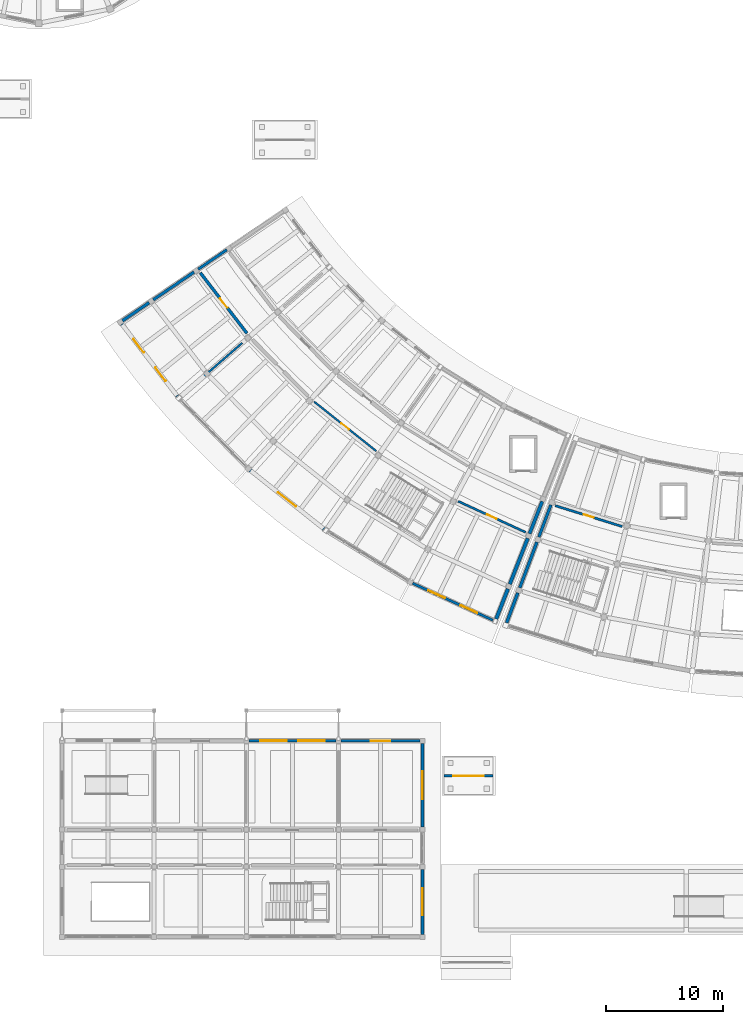
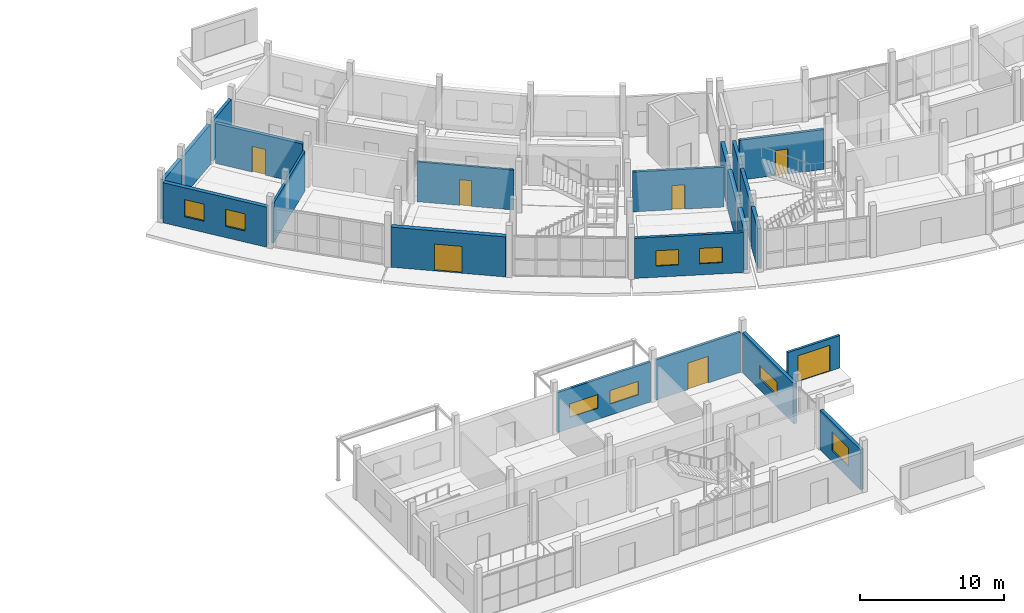
# One storey, part 66 of 92: 22 walls, 8 windows, 7 doors, 15 openings.
"""IFC4 building model written with IfcOpenShell, lengths in metres."""

from ifc_helpers import new_model, si_unit, direction, frame, frame_2d, origin, place, context, subcontext, project, spatial, rectangle, extrude, material, layer, layer_set, type_object, element, fill, save


model = new_model("IFC4")

# Units and contexts
model_context = context("Model", 3, precision=1e-05, world=origin(), true_north=direction((0.0, 1.0)))
body_context = subcontext(model_context, "Body", "Model", "MODEL_VIEW")
ifc_project = project(units=[si_unit("LENGTHUNIT", "METRE"), si_unit("AREAUNIT", "SQUARE_METRE"), si_unit("VOLUMEUNIT", "CUBIC_METRE"), si_unit("PLANEANGLEUNIT", "RADIAN"), si_unit("MASSUNIT", "GRAM", prefix="KILO")], contexts=[model_context])

# Site, building, storey
site_placement = place(None, origin())
site = spatial("IfcSite", under=ifc_project, at=site_placement, CompositionType="ELEMENT")
building_placement = place(site_placement, origin())
building = spatial("IfcBuilding", under=site, at=building_placement, Name="Caldaven Crescent School", CompositionType="ELEMENT")
storey_placement = place(building_placement, origin())
storey = spatial("IfcBuildingStorey", under=building, at=storey_placement, Name="L00", CompositionType="ELEMENT", Elevation=0.0)

# Wall, openings, windows
ifc_material_1 = material(Name="Precast concrete C35/45", Category="concrete")
ifc_layer_1 = layer(ifc_material_1, 0.19189453125)
ifc_layer_set_1 = layer_set([ifc_layer_1], Name="Precast concrete C35/45")
wall_type_1 = type_object("IfcWallType", Name="WAL-EW01", PredefinedType="STANDARD", material=ifc_layer_set_1)
wall_1_placement = place(storey_placement, frame((41.512939453125, 21.0, 0.0), z_axis=(0.0, 0.0, 1.0), x_axis=(1.0, 0.0, 0.0)))
wall_1 = element("IfcWall", 1, at=wall_1_placement, inside=storey, type_object=wall_type_1, Name="EW-L00-056", PredefinedType="STANDARD", context=body_context, shape_type="SweptSolid", body=[
    extrude(rectangle(XDim=7.47412109375, YDim=0.19189453125, at=frame_2d((3.737060546875, 0.0))), origin(), (0.0, 0.0, 1.0), 3.39990234375),
])
opening_1_placement = place(wall_1_placement, frame((0.9580078125, 0.0, 0.949951171875)))
opening_1 = element("IfcOpeningElement", 2, at=opening_1_placement, cuts=wall_1, Name="Opening W41", PredefinedType="OPENING", context=body_context, shape_type="SweptSolid", body=[
    extrude(rectangle(XDim=2.300048828125, YDim=1.14990234375, at=frame_2d((1.14990234375, 0.574951171875))), frame((0.0, 0.10595703125, 0.0), z_axis=(0.0, -1.0, 0.0), x_axis=(1.0, 0.0, 0.0)), (0.0, 0.0, 1.0), 0.2119140625),
])
opening_2_placement = place(wall_1_placement, frame((4.216064453125, 0.0, 0.949951171875)))
opening_2 = element("IfcOpeningElement", 3, at=opening_2_placement, cuts=wall_1, Name="Opening W41", PredefinedType="OPENING", context=body_context, shape_type="SweptSolid", body=[
    extrude(rectangle(XDim=2.300048828125, YDim=1.14990234375, at=frame_2d((1.14990234375, 0.574951171875))), frame((0.0, 0.10595703125, 0.0), z_axis=(0.0, -1.0, 0.0), x_axis=(1.0, 0.0, 0.0)), (0.0, 0.0, 1.0), 0.2119140625),
])
ifc_material_2 = material(Name="Thermally broken anodised aluminium AA 6063-T6 and low-E double glazing", Category="aluminium")
window_type_1 = type_object("IfcWindowType", Name="WIN-W41", PartitioningType="SINGLE_PANEL", PredefinedType="WINDOW", material=ifc_material_2)
window_1_placement = place(opening_1_placement, origin())
window_1 = element("IfcWindow", 4, at=window_1_placement, inside=storey, type_object=window_type_1, Name="WIN-L00-040-1", OverallHeight=1.14990234375, OverallWidth=2.300048828125, PartitioningType="SINGLE_PANEL", PredefinedType="WINDOW", context=body_context, shape_type="SweptSolid", body=[
    extrude(rectangle(XDim=2.300048828125, YDim=1.14990234375, at=frame_2d((1.14990234375, 0.574951171875))), frame((0.0, 0.030029296875, 0.0), z_axis=(0.0, -1.0, 0.0), x_axis=(1.0, 0.0, 0.0)), (0.0, 0.0, 1.0), 0.06005859375),
])
fill(opening_1, window_1)
window_2_placement = place(opening_2_placement, origin())
window_2 = element("IfcWindow", 5, at=window_2_placement, inside=storey, type_object=window_type_1, Name="WIN-L00-040-2", OverallHeight=1.14990234375, OverallWidth=2.300048828125, PartitioningType="SINGLE_PANEL", PredefinedType="WINDOW", context=body_context, shape_type="SweptSolid", body=[
    extrude(rectangle(XDim=2.300048828125, YDim=1.14990234375, at=frame_2d((1.14990234375, 0.574951171875))), frame((0.0, 0.030029296875, 0.0), z_axis=(0.0, -1.0, 0.0), x_axis=(1.0, 0.0, 0.0)), (0.0, 0.0, 1.0), 0.06005859375),
])
fill(opening_2, window_2)

# Wall, opening, door
wall_2_placement = place(storey_placement, frame((58.25, 18.0, 0.0), z_axis=(0.0, 0.0, 1.0), x_axis=(1.0, 0.0, 0.0)))
wall_2 = element("IfcWall", 6, at=wall_2_placement, inside=storey, type_object=wall_type_1, Name="WAL-GATE-CG3", PredefinedType="STANDARD", context=body_context, shape_type="SweptSolid", body=[
    extrude(rectangle(XDim=4.199951171875, YDim=0.19189453125, at=frame_2d((2.10009765625, 0.0))), origin(), (0.0, 0.0, 1.0), 2.75),
])
opening_3_placement = place(wall_2_placement, frame((0.800048828125, 0.0, 0.0)))
opening_3 = element("IfcOpeningElement", 7, at=opening_3_placement, cuts=wall_2, Name="Opening CG3", PredefinedType="OPENING", context=body_context, shape_type="SweptSolid", body=[
    extrude(rectangle(XDim=2.60009765625, YDim=2.199951171875, at=frame_2d((1.300048828125, 1.10009765625))), frame((0.0, 0.10595703125, 0.0), z_axis=(0.0, -1.0, 0.0), x_axis=(1.0, 0.0, 0.0)), (0.0, 0.0, 1.0), 0.2119140625),
])
ifc_material_3 = material(Name="Powder-coated galvanised tubular steel security gate", Category="steel")
door_type_1 = type_object("IfcDoorType", Name="DOR-GT03", OperationType="NOTDEFINED", PredefinedType="GATE", material=ifc_material_3)
door_1_placement = place(opening_3_placement, frame((2.60009765625, 0.0, 0.0), z_axis=(0.0, 0.0, 1.0), x_axis=(-1.0, 0.0, 0.0)))
door_1 = element("IfcDoor", 8, at=door_1_placement, inside=storey, type_object=door_type_1, Name="GATE-CG3", OperationType="DOUBLE_DOOR_SINGLE_SWING", OverallHeight=2.199951171875, OverallWidth=2.60009765625, PredefinedType="GATE", context=body_context, shape_type="SweptSolid", body=[
    extrude(rectangle(XDim=2.60009765625, YDim=2.199951171875, at=frame_2d((1.300048828125, 1.10009765625))), frame((0.0, 0.02490234375, 0.0), z_axis=(0.0, -1.0, 0.0), x_axis=(1.0, 0.0, 0.0)), (0.0, 0.0, 1.0), 0.050048828125),
])
fill(opening_3, door_1)

ifc_layer_2 = layer(ifc_material_1, 0.2041015625)
ifc_layer_set_2 = layer_set([ifc_layer_2], Name="Precast concrete C35/45")
wall_type_2 = type_object("IfcWallType", Name="WAL-EW02", PredefinedType="STANDARD", material=ifc_layer_set_2)
wall_3_placement = place(storey_placement, frame((49.4130859375, 21.0, 0.0), z_axis=(0.0, 0.0, 1.0), x_axis=(1.0, 0.0, 0.0)))
wall_3 = element("IfcWall", 9, at=wall_3_placement, inside=storey, type_object=wall_type_2, Name="EW-L00-057", PredefinedType="STANDARD", context=body_context, shape_type="SweptSolid", body=[
    extrude(rectangle(XDim=6.77392578125, YDim=0.2041015625, at=frame_2d((3.386962890625, 0.0))), origin(), (0.0, 0.0, 1.0), 3.39990234375),
])
opening_4_placement = place(wall_3_placement, frame((2.56201171875, 0.0, 0.0)))
opening_4 = element("IfcOpeningElement", 10, at=opening_4_placement, cuts=wall_3, Name="Opening D-L00-E017", PredefinedType="OPENING", context=body_context, shape_type="SweptSolid", body=[
    extrude(rectangle(XDim=1.64990234375, YDim=2.25, at=frame_2d((0.824951171875, 1.125))), frame((0.0, 0.112060546875, 0.0), z_axis=(0.0, -1.0, 0.0), x_axis=(1.0, 0.0, 0.0)), (0.0, 0.0, 1.0), 0.22412109375),
])
ifc_material_4 = material(Name="Thermally broken bronze-anodised aluminium and laminated safety glass", Category="aluminium")
door_type_2 = type_object("IfcDoorType", Name="DOR-EX09", OperationType="NOTDEFINED", PredefinedType="DOOR", material=ifc_material_4)
door_2_placement = place(opening_4_placement, origin())
door_2 = element("IfcDoor", 11, at=door_2_placement, inside=storey, type_object=door_type_2, Name="DOR-EXT-L00-017", OperationType="DOUBLE_DOOR_SINGLE_SWING", OverallHeight=2.25, OverallWidth=1.64990234375, PredefinedType="DOOR", context=body_context, shape_type="SweptSolid", body=[
    extrude(rectangle(XDim=1.64990234375, YDim=2.25, at=frame_2d((0.824951171875, 1.125))), frame((0.0, 0.02490234375, 0.0), z_axis=(0.0, -1.0, 0.0), x_axis=(1.0, 0.0, 0.0)), (0.0, 0.0, 1.0), 0.050048828125),
])
fill(opening_4, door_2)

# Wall, openings, windows
ifc_layer_3 = layer(ifc_material_1, 0.216064453125)
ifc_layer_set_3 = layer_set([ifc_layer_3], Name="Precast concrete C35/45")
wall_type_3 = type_object("IfcWallType", Name="WAL-EW03", PredefinedType="STANDARD", material=ifc_layer_set_3)
wall_4_placement = place(storey_placement, frame((55.541748046875, 34.501953125, 0.0), z_axis=(0.0, 0.0, 1.0), x_axis=(0.908527340523, -0.417825407941, 0.0)))
wall_4 = element("IfcWall", 12, at=wall_4_placement, inside=storey, type_object=wall_type_3, Name="EW-L00-086", PredefinedType="STANDARD", context=body_context, shape_type="SweptSolid", body=[
    extrude(rectangle(XDim=7.587890625, YDim=0.216064453125, at=frame_2d((3.7939453125, 0.0))), origin(), (0.0, 0.0, 1.0), 3.39990234375),
])
opening_5_placement = place(wall_4_placement, frame((1.475830078125, 0.0, 0.949951171875)))
opening_5 = element("IfcOpeningElement", 13, at=opening_5_placement, cuts=wall_4, Name="Opening W18", PredefinedType="OPENING", context=body_context, shape_type="SweptSolid", body=[
    extrude(rectangle(XDim=1.580078125, YDim=1.300048828125, at=frame_2d((0.7900390625, 0.64990234375))), frame((0.0, 0.117919921875, 0.0), z_axis=(0.0, -1.0, 0.0), x_axis=(1.0, 0.0, 0.0)), (0.0, 0.0, 1.0), 0.236083984375),
])
opening_6_placement = place(wall_4_placement, frame((4.531982421875, 0.0, 0.949951171875)))
opening_6 = element("IfcOpeningElement", 14, at=opening_6_placement, cuts=wall_4, Name="Opening W18", PredefinedType="OPENING", context=body_context, shape_type="SweptSolid", body=[
    extrude(rectangle(XDim=1.580078125, YDim=1.300048828125, at=frame_2d((0.7900390625, 0.64990234375))), frame((0.0, 0.117919921875, 0.0), z_axis=(0.0, -1.0, 0.0), x_axis=(1.0, 0.0, 0.0)), (0.0, 0.0, 1.0), 0.236083984375),
])
window_type_2 = type_object("IfcWindowType", Name="WIN-W18", PartitioningType="SINGLE_PANEL", PredefinedType="WINDOW", material=ifc_material_2)
window_3_placement = place(opening_5_placement, origin())
window_3 = element("IfcWindow", 15, at=window_3_placement, inside=storey, type_object=window_type_2, Name="WIN-L00-065-1", OverallHeight=1.300048828125, OverallWidth=1.580078125, PartitioningType="SINGLE_PANEL", PredefinedType="WINDOW", context=body_context, shape_type="SweptSolid", body=[
    extrude(rectangle(XDim=1.580078125, YDim=1.300048828125, at=frame_2d((0.7900390625, 0.64990234375))), frame((0.0, 0.030029296875, 0.0), z_axis=(0.0, -1.0, 0.0), x_axis=(1.0, 0.0, 0.0)), (0.0, 0.0, 1.0), 0.06005859375),
])
fill(opening_5, window_3)
window_4_placement = place(opening_6_placement, origin())
window_4 = element("IfcWindow", 16, at=window_4_placement, inside=storey, type_object=window_type_2, Name="WIN-L00-065-2", OverallHeight=1.300048828125, OverallWidth=1.580078125, PartitioningType="SINGLE_PANEL", PredefinedType="WINDOW", context=body_context, shape_type="SweptSolid", body=[
    extrude(rectangle(XDim=1.580078125, YDim=1.300048828125, at=frame_2d((0.7900390625, 0.64990234375))), frame((0.0, 0.030029296875, 0.0), z_axis=(0.0, -1.0, 0.0), x_axis=(1.0, 0.0, 0.0)), (0.0, 0.0, 1.0), 0.06005859375),
])
fill(opening_6, window_4)

# Wall
ifc_layer_4 = layer(ifc_material_1, 0.239990234375)
ifc_layer_set_4 = layer_set([ifc_layer_4], Name="Precast concrete C35/45")
wall_type_4 = type_object("IfcWallType", Name="WAL-EW05", PredefinedType="STANDARD", material=ifc_layer_set_4)
wall_5_placement = place(storey_placement, frame((39.625, 63.081298828125, 0.0), z_axis=(0.0, 0.0, 1.0), x_axis=(-0.826746288828, -0.562574949592, 0.0)))
element("IfcWall", 17, at=wall_5_placement, inside=storey, type_object=wall_type_4, Name="EW-L00-088", PredefinedType="STANDARD", context=body_context, shape_type="SweptSolid", body=[
    extrude(rectangle(XDim=2.973876953125, YDim=0.239990234375, at=frame_2d((1.48681640625, 0.0))), origin(), (0.0, 0.0, 1.0), 3.39990234375),
])

# Wall, opening, window
ifc_layer_5 = layer(ifc_material_1, 0.251953125)
ifc_layer_set_5 = layer_set([ifc_layer_5], Name="Precast concrete C35/45")
wall_type_5 = type_object("IfcWallType", Name="WAL-EW06", PredefinedType="STANDARD", material=ifc_layer_set_5)
wall_6_placement = place(storey_placement, frame((56.39990234375, 4.4130859375, 0.0), z_axis=(0.0, 0.0, 1.0), x_axis=(0.0, 1.0, 0.0)))
wall_6 = element("IfcWall", 18, at=wall_6_placement, inside=storey, type_object=wall_type_5, Name="EW-L00-061", PredefinedType="STANDARD", context=body_context, shape_type="SweptSolid", body=[
    extrude(rectangle(XDim=5.573974609375, YDim=0.251953125, at=frame_2d((2.787109375, 0.0))), origin(), (0.0, 0.0, 1.0), 3.39990234375),
])
opening_7_placement = place(wall_6_placement, frame((1.636962890625, 0.0, 0.949951171875)))
opening_7 = element("IfcOpeningElement", 19, at=opening_7_placement, cuts=wall_6, Name="Opening W44", PredefinedType="OPENING", context=body_context, shape_type="SweptSolid", body=[
    extrude(rectangle(XDim=2.300048828125, YDim=1.60009765625, at=frame_2d((1.14990234375, 0.800048828125))), frame((0.0, 0.135986328125, 0.0), z_axis=(0.0, -1.0, 0.0), x_axis=(1.0, 0.0, 0.0)), (0.0, 0.0, 1.0), 0.27197265625),
])
window_type_3 = type_object("IfcWindowType", Name="WIN-W44", PartitioningType="SINGLE_PANEL", PredefinedType="WINDOW", material=ifc_material_2)
window_5_placement = place(opening_7_placement, origin())
window_5 = element("IfcWindow", 20, at=window_5_placement, inside=storey, type_object=window_type_3, Name="WIN-L00-043-1", OverallHeight=1.60009765625, OverallWidth=2.300048828125, PartitioningType="SINGLE_PANEL", PredefinedType="WINDOW", context=body_context, shape_type="SweptSolid", body=[
    extrude(rectangle(XDim=2.300048828125, YDim=1.60009765625, at=frame_2d((1.14990234375, 0.800048828125))), frame((0.0, 0.030029296875, 0.0), z_axis=(0.0, -1.0, 0.0), x_axis=(1.0, 0.0, 0.0)), (0.0, 0.0, 1.0), 0.06005859375),
])
fill(opening_7, window_5)

# Walls
wall_7_placement = place(storey_placement, frame((36.814208984375, 61.168701171875, 0.0), z_axis=(0.0, 0.0, 1.0), x_axis=(-0.826730801619, -0.56259770854, 0.0)))
element("IfcWall", 21, at=wall_7_placement, inside=storey, type_object=wall_type_5, Name="EW-L00-089", PredefinedType="STANDARD", context=body_context, shape_type="SweptSolid", body=[
    extrude(rectangle(XDim=4.22412109375, YDim=0.251953125, at=frame_2d((2.112060546875, 0.0))), origin(), (0.0, 0.0, 1.0), 3.39990234375),
])
wall_8_placement = place(storey_placement, frame((67.402099609375, 41.21630859375, 0.0), z_axis=(0.0, 0.0, 1.0), x_axis=(-0.351950321766, -0.936018680908, 0.0)))
element("IfcWall", 22, at=wall_8_placement, inside=storey, type_object=wall_type_5, Name="EW-L00-103", PredefinedType="STANDARD", context=body_context, shape_type="SweptSolid", body=[
    extrude(rectangle(XDim=2.944091796875, YDim=0.251953125, at=frame_2d((1.47216796875, 0.0))), origin(), (0.0, 0.0, 1.0), 3.39990234375),
])

# Wall, opening, window
ifc_layer_6 = layer(ifc_material_1, 0.263916015625)
ifc_layer_set_6 = layer_set([ifc_layer_6], Name="Precast concrete C35/45")
wall_type_6 = type_object("IfcWallType", Name="WAL-EW07", PredefinedType="STANDARD", material=ifc_layer_set_6)
wall_9_placement = place(storey_placement, frame((56.39990234375, 13.613037109375, 0.0), z_axis=(0.0, 0.0, 1.0), x_axis=(0.0, 1.0, 0.0)))
wall_9 = element("IfcWall", 23, at=wall_9_placement, inside=storey, type_object=wall_type_6, Name="EW-L00-062", PredefinedType="STANDARD", context=body_context, shape_type="SweptSolid", body=[
    extrude(rectangle(XDim=7.174072265625, YDim=0.263916015625, at=frame_2d((3.5869140625, 0.0))), origin(), (0.0, 0.0, 1.0), 3.39990234375),
])
opening_8_placement = place(wall_9_placement, frame((2.376953125, 0.0, 0.949951171875)))
opening_8 = element("IfcOpeningElement", 24, at=opening_8_placement, cuts=wall_9, Name="Opening W45", PredefinedType="OPENING", context=body_context, shape_type="SweptSolid", body=[
    extrude(rectangle(XDim=2.419921875, YDim=1.14990234375, at=frame_2d((1.2099609375, 0.574951171875))), frame((0.0, 0.141845703125, 0.0), z_axis=(0.0, -1.0, 0.0), x_axis=(1.0, 0.0, 0.0)), (0.0, 0.0, 1.0), 0.283935546875),
])
window_type_4 = type_object("IfcWindowType", Name="WIN-W45", PartitioningType="SINGLE_PANEL", PredefinedType="WINDOW", material=ifc_material_2)
window_6_placement = place(opening_8_placement, origin())
window_6 = element("IfcWindow", 25, at=window_6_placement, inside=storey, type_object=window_type_4, Name="WIN-L00-044-1", OverallHeight=1.14990234375, OverallWidth=2.419921875, PartitioningType="SINGLE_PANEL", PredefinedType="WINDOW", context=body_context, shape_type="SweptSolid", body=[
    extrude(rectangle(XDim=2.419921875, YDim=1.14990234375, at=frame_2d((1.2099609375, 0.574951171875))), frame((0.0, 0.030029296875, 0.0), z_axis=(0.0, -1.0, 0.0), x_axis=(1.0, 0.0, 0.0)), (0.0, 0.0, 1.0), 0.06005859375),
])
fill(opening_8, window_6)

# Walls
wall_10_placement = place(storey_placement, frame((32.9697265625, 58.552490234375, 0.0), z_axis=(0.0, 0.0, 1.0), x_axis=(-0.826731643037, -0.562596472085, 0.0)))
element("IfcWall", 26, at=wall_10_placement, inside=storey, type_object=wall_type_6, Name="EW-L00-090", PredefinedType="STANDARD", context=body_context, shape_type="SweptSolid", body=[
    extrude(rectangle(XDim=2.77392578125, YDim=0.263916015625, at=frame_2d((1.386962890625, 0.0))), origin(), (0.0, 0.0, 1.0), 3.39990234375),
])
wall_11_placement = place(storey_placement, frame((66.20556640625, 38.03369140625, 0.0), z_axis=(0.0, 0.0, 1.0), x_axis=(-0.351959024786, -0.936015408458, 0.0)))
element("IfcWall", 27, at=wall_11_placement, inside=storey, type_object=wall_type_6, Name="EW-L00-104", PredefinedType="STANDARD", context=body_context, shape_type="SweptSolid", body=[
    extrude(rectangle(XDim=4.19384765625, YDim=0.263916015625, at=frame_2d((2.096923828125, 0.0))), origin(), (0.0, 0.0, 1.0), 3.39990234375),
])
ifc_layer_7 = layer(ifc_material_1, 0.27587890625)
ifc_layer_set_7 = layer_set([ifc_layer_7], Name="Precast concrete C35/45")
wall_type_7 = type_object("IfcWallType", Name="WAL-EW08", PredefinedType="STANDARD", material=ifc_layer_set_7)
wall_12_placement = place(storey_placement, frame((64.569091796875, 33.681396484375, 0.0), z_axis=(0.0, 0.0, 1.0), x_axis=(-0.351874084435, -0.936047343195, 0.0)))
element("IfcWall", 28, at=wall_12_placement, inside=storey, type_object=wall_type_7, Name="EW-L00-105", PredefinedType="STANDARD", context=body_context, shape_type="SweptSolid", body=[
    extrude(rectangle(XDim=2.744140625, YDim=0.27587890625, at=frame_2d((1.3720703125, 0.0))), origin(), (0.0, 0.0, 1.0), 3.39990234375),
])
ifc_layer_8 = layer(ifc_material_1, 0.2880859375)
ifc_layer_set_8 = layer_set([ifc_layer_8], Name="Precast concrete C35/45")
wall_type_8 = type_object("IfcWallType", Name="WAL-EW09", PredefinedType="STANDARD", material=ifc_layer_set_8)
wall_13_placement = place(storey_placement, frame((66.6552734375, 41.51904296875, 0.0), z_axis=(0.0, 0.0, 1.0), x_axis=(-0.364814075751, -0.931080388653, 0.0)))
element("IfcWall", 29, at=wall_13_placement, inside=storey, type_object=wall_type_8, Name="EW-L00-092", PredefinedType="STANDARD", context=body_context, shape_type="SweptSolid", body=[
    extrude(rectangle(XDim=2.97412109375, YDim=0.2880859375, at=frame_2d((1.487060546875, 0.0))), origin(), (0.0, 0.0, 1.0), 3.39990234375),
])
ifc_layer_9 = layer(ifc_material_1, 0.300048828125)
ifc_layer_set_9 = layer_set([ifc_layer_9], Name="Precast concrete C35/45")
wall_type_9 = type_object("IfcWallType", Name="WAL-EW10", PredefinedType="STANDARD", material=ifc_layer_set_9)
wall_14_placement = place(storey_placement, frame((65.4150390625, 38.353271484375, 0.0), z_axis=(0.0, 0.0, 1.0), x_axis=(-0.364824271904, -0.931076393552, 0.0)))
element("IfcWall", 30, at=wall_14_placement, inside=storey, type_object=wall_type_9, Name="EW-L00-093", PredefinedType="STANDARD", context=body_context, shape_type="SweptSolid", body=[
    extrude(rectangle(XDim=4.223876953125, YDim=0.300048828125, at=frame_2d((2.11181640625, 0.0))), origin(), (0.0, 0.0, 1.0), 3.39990234375),
])

# Wall, openings, windows
ifc_layer_10 = layer(ifc_material_1, 0.31201171875)
ifc_layer_set_10 = layer_set([ifc_layer_10], Name="Precast concrete C35/45")
wall_type_10 = type_object("IfcWallType", Name="WAL-EW11", PredefinedType="STANDARD", material=ifc_layer_set_10)
wall_15_placement = place(storey_placement, frame((30.63037109375, 56.703369140625, 0.0), z_axis=(0.0, 0.0, 1.0), x_axis=(0.610380744175, -0.792108166313, 0.0)))
wall_15 = element("IfcWall", 31, at=wall_15_placement, inside=storey, type_object=wall_type_10, Name="EW-L00-080", PredefinedType="STANDARD", context=body_context, shape_type="SweptSolid", body=[
    extrude(rectangle(XDim=7.78125, YDim=0.31201171875, at=frame_2d((3.890625, 0.0))), origin(), (0.0, 0.0, 1.0), 3.39990234375),
])
opening_9_placement = place(wall_15_placement, frame((1.620361328125, 0.0, 0.949951171875)))
opening_9 = element("IfcOpeningElement", 32, at=opening_9_placement, cuts=wall_15, Name="Opening W15", PredefinedType="OPENING", context=body_context, shape_type="SweptSolid", body=[
    extrude(rectangle(XDim=1.4599609375, YDim=1.449951171875, at=frame_2d((0.72998046875, 0.72509765625))), frame((0.0, 0.166015625, 0.0), z_axis=(0.0, -1.0, 0.0), x_axis=(1.0, 0.0, 0.0)), (0.0, 0.0, 1.0), 0.33203125),
])
opening_10_placement = place(wall_15_placement, frame((4.700927734375, 0.0, 0.949951171875)))
opening_10 = element("IfcOpeningElement", 33, at=opening_10_placement, cuts=wall_15, Name="Opening W15", PredefinedType="OPENING", context=body_context, shape_type="SweptSolid", body=[
    extrude(rectangle(XDim=1.4599609375, YDim=1.449951171875, at=frame_2d((0.72998046875, 0.72509765625))), frame((0.0, 0.166015625, 0.0), z_axis=(0.0, -1.0, 0.0), x_axis=(1.0, 0.0, 0.0)), (0.0, 0.0, 1.0), 0.33203125),
])
window_type_5 = type_object("IfcWindowType", Name="WIN-W15", PartitioningType="SINGLE_PANEL", PredefinedType="WINDOW", material=ifc_material_2)
window_7_placement = place(opening_9_placement, origin())
window_7 = element("IfcWindow", 34, at=window_7_placement, inside=storey, type_object=window_type_5, Name="WIN-L00-062-1", OverallHeight=1.449951171875, OverallWidth=1.4599609375, PartitioningType="SINGLE_PANEL", PredefinedType="WINDOW", context=body_context, shape_type="SweptSolid", body=[
    extrude(rectangle(XDim=1.4599609375, YDim=1.449951171875, at=frame_2d((0.72998046875, 0.72509765625))), frame((0.0, 0.030029296875, 0.0), z_axis=(0.0, -1.0, 0.0), x_axis=(1.0, 0.0, 0.0)), (0.0, 0.0, 1.0), 0.06005859375),
])
fill(opening_9, window_7)
window_8_placement = place(opening_10_placement, origin())
window_8 = element("IfcWindow", 35, at=window_8_placement, inside=storey, type_object=window_type_5, Name="WIN-L00-062-2", OverallHeight=1.449951171875, OverallWidth=1.4599609375, PartitioningType="SINGLE_PANEL", PredefinedType="WINDOW", context=body_context, shape_type="SweptSolid", body=[
    extrude(rectangle(XDim=1.4599609375, YDim=1.449951171875, at=frame_2d((0.72998046875, 0.72509765625))), frame((0.0, 0.030029296875, 0.0), z_axis=(0.0, -1.0, 0.0), x_axis=(1.0, 0.0, 0.0)), (0.0, 0.0, 1.0), 0.06005859375),
])
fill(opening_10, window_8)

# Wall
wall_16_placement = place(storey_placement, frame((63.71875, 34.023681640625, 0.0), z_axis=(0.0, 0.0, 1.0), x_axis=(-0.364810806379, -0.931081669645, 0.0)))
element("IfcWall", 36, at=wall_16_placement, inside=storey, type_object=wall_type_10, Name="EW-L00-094", PredefinedType="STANDARD", context=body_context, shape_type="SweptSolid", body=[
    extrude(rectangle(XDim=2.77392578125, YDim=0.31201171875, at=frame_2d((1.386962890625, 0.0))), origin(), (0.0, 0.0, 1.0), 3.39990234375),
])

# Wall, opening, door
ifc_layer_11 = layer(ifc_material_1, 0.347900390625)
ifc_layer_set_11 = layer_set([ifc_layer_11], Name="Precast concrete C35/45")
wall_type_11 = type_object("IfcWallType", Name="WAL-EW14", PredefinedType="STANDARD", material=ifc_layer_set_11)
wall_17_placement = place(storey_placement, frame((41.628662109375, 44.181640625, 0.0), z_axis=(0.0, 0.0, 1.0), x_axis=(0.782619821953, -0.622499971314, 0.0)))
wall_17 = element("IfcWall", 37, at=wall_17_placement, inside=storey, type_object=wall_type_11, Name="EW-L00-083", PredefinedType="STANDARD", context=body_context, shape_type="SweptSolid", body=[
    extrude(rectangle(XDim=8.06591796875, YDim=0.347900390625, at=frame_2d((4.032958984375, 0.0))), origin(), (0.0, 0.0, 1.0), 3.39990234375),
])
opening_11_placement = place(wall_17_placement, frame((3.057861328125, 0.0, 0.0)))
opening_11 = element("IfcOpeningElement", 38, at=opening_11_placement, cuts=wall_17, Name="Opening D-L00-E020", PredefinedType="OPENING", context=body_context, shape_type="SweptSolid", body=[
    extrude(rectangle(XDim=1.949951171875, YDim=2.280029296875, at=frame_2d((0.97509765625, 1.14013671875))), frame((0.0, 0.183837890625, 0.0), z_axis=(0.0, -1.0, 0.0), x_axis=(1.0, 0.0, 0.0)), (0.0, 0.0, 1.0), 0.367919921875),
])
door_type_3 = type_object("IfcDoorType", Name="DOR-EX12", OperationType="NOTDEFINED", PredefinedType="DOOR", material=ifc_material_4)
door_3_placement = place(opening_11_placement, frame((1.949951171875, 0.0, 0.0), z_axis=(0.0, 0.0, 1.0), x_axis=(-1.0, 0.0, 0.0)))
door_3 = element("IfcDoor", 39, at=door_3_placement, inside=storey, type_object=door_type_3, Name="DOR-EXT-L00-020", OperationType="DOUBLE_DOOR_SINGLE_SWING", OverallHeight=2.280029296875, OverallWidth=1.949951171875, PredefinedType="DOOR", context=body_context, shape_type="SweptSolid", body=[
    extrude(rectangle(XDim=1.949951171875, YDim=2.280029296875, at=frame_2d((0.97509765625, 1.14013671875))), frame((0.0, 0.02490234375, 0.0), z_axis=(0.0, -1.0, 0.0), x_axis=(1.0, 0.0, 0.0)), (0.0, 0.0, 1.0), 0.050048828125),
])
fill(opening_11, door_3)

ifc_material_5 = material(Name="Acoustic timber-stud and fire-rated gypsum board assembly", Category="wood")
ifc_layer_12 = layer(ifc_material_5, 0.159912109375)
ifc_layer_set_12 = layer_set([ifc_layer_12], Name="Acoustic timber-stud and fire-rated gypsum board assembly")
wall_type_12 = type_object("IfcWallType", Name="WAL-IW01", PredefinedType="STANDARD", material=ifc_layer_set_12)
wall_18_placement = place(storey_placement, frame((47.11669921875, 50.0576171875, 0.0), z_axis=(0.0, 0.0, 1.0), x_axis=(0.782615780998, -0.622505051653, 0.0)))
wall_18 = element("IfcWall", 40, at=wall_18_placement, inside=storey, type_object=wall_type_12, Name="IW-L00-0176", PredefinedType="STANDARD", context=body_context, shape_type="SweptSolid", body=[
    extrude(rectangle(XDim=6.79150390625, YDim=0.159912109375, at=frame_2d((3.395751953125, 0.0))), origin(), (0.0, 0.0, 1.0), 3.3798828125),
])
opening_12_placement = place(wall_18_placement, frame((2.9658203125, 0.0, 0.0)))
opening_12 = element("IfcOpeningElement", 41, at=opening_12_placement, cuts=wall_18, Name="Opening D-L00-I122", PredefinedType="OPENING", context=body_context, shape_type="SweptSolid", body=[
    extrude(rectangle(XDim=0.860107421875, YDim=2.179931640625, at=frame_2d((0.43017578125, 1.08984375))), frame((0.0, 0.08984375, 0.0), z_axis=(0.0, -1.0, 0.0), x_axis=(1.0, 0.0, 0.0)), (0.0, 0.0, 1.0), 0.179931640625),
])
ifc_material_6 = material(Name="Solid-core Pino Radiata acoustic timber leaf in steel frame", Category="steel")
door_type_4 = type_object("IfcDoorType", Name="DOR-ID03", OperationType="NOTDEFINED", PredefinedType="DOOR", material=ifc_material_6)
door_4_placement = place(opening_12_placement, origin())
door_4 = element("IfcDoor", 42, at=door_4_placement, inside=storey, type_object=door_type_4, Name="DOR-INT-L00-0122", OperationType="SINGLE_SWING_LEFT", OverallHeight=2.179931640625, OverallWidth=0.860107421875, PredefinedType="DOOR", context=body_context, shape_type="SweptSolid", body=[
    extrude(rectangle(XDim=0.860107421875, YDim=2.179931640625, at=frame_2d((0.43017578125, 1.08984375))), frame((0.0, 0.02490234375, 0.0), z_axis=(0.0, -1.0, 0.0), x_axis=(1.0, 0.0, 0.0)), (0.0, 0.0, 1.0), 0.050048828125),
])
fill(opening_12, door_4)

ifc_layer_13 = layer(ifc_material_5, 0.18994140625)
ifc_layer_set_13 = layer_set([ifc_layer_13], Name="Acoustic timber-stud and fire-rated gypsum board assembly")
wall_type_13 = type_object("IfcWallType", Name="WAL-IW04", PredefinedType="STANDARD", material=ifc_layer_set_13)
wall_19_placement = place(storey_placement, frame((59.445068359375, 41.53076171875, 0.0), z_axis=(0.0, 0.0, 1.0), x_axis=(0.908519558618, -0.417842328647, 0.0)))
wall_19 = element("IfcWall", 43, at=wall_19_placement, inside=storey, type_object=wall_type_13, Name="IW-L00-0179", PredefinedType="STANDARD", context=body_context, shape_type="SweptSolid", body=[
    extrude(rectangle(XDim=6.36865234375, YDim=0.18994140625, at=frame_2d((3.184326171875, 0.0))), origin(), (0.0, 0.0, 1.0), 3.3798828125),
])
opening_13_placement = place(wall_19_placement, frame((2.734375, 0.0, 0.0)))
opening_13 = element("IfcOpeningElement", 44, at=opening_13_placement, cuts=wall_19, Name="Opening D-L00-I124", PredefinedType="OPENING", context=body_context, shape_type="SweptSolid", body=[
    extrude(rectangle(XDim=0.89990234375, YDim=2.06005859375, at=frame_2d((0.449951171875, 1.030029296875))), frame((0.0, 0.10498046875, 0.0), z_axis=(0.0, -1.0, 0.0), x_axis=(1.0, 0.0, 0.0)), (0.0, 0.0, 1.0), 0.2099609375),
])
door_type_5 = type_object("IfcDoorType", Name="DOR-ID05", OperationType="NOTDEFINED", PredefinedType="DOOR", material=ifc_material_6)
door_5_placement = place(opening_13_placement, origin())
door_5 = element("IfcDoor", 45, at=door_5_placement, inside=storey, type_object=door_type_5, Name="DOR-INT-L00-0124", OperationType="SINGLE_SWING_LEFT", OverallHeight=2.06005859375, OverallWidth=0.89990234375, PredefinedType="DOOR", context=body_context, shape_type="SweptSolid", body=[
    extrude(rectangle(XDim=0.89990234375, YDim=2.06005859375, at=frame_2d((0.449951171875, 1.030029296875))), frame((0.0, 0.02490234375, 0.0), z_axis=(0.0, -1.0, 0.0), x_axis=(1.0, 0.0, 0.0)), (0.0, 0.0, 1.0), 0.050048828125),
])
fill(opening_13, door_5)

ifc_layer_14 = layer(ifc_material_5, 0.199951171875)
ifc_layer_set_14 = layer_set([ifc_layer_14], Name="Acoustic timber-stud and fire-rated gypsum board assembly")
wall_type_14 = type_object("IfcWallType", Name="WAL-IW05", PredefinedType="STANDARD", material=ifc_layer_set_14)
wall_20_placement = place(storey_placement, frame((67.7626953125, 41.154052734375, 0.0), z_axis=(0.0, 0.0, 1.0), x_axis=(0.954756741519, -0.297387902451, 0.0)))
wall_20 = element("IfcWall", 46, at=wall_20_placement, inside=storey, type_object=wall_type_14, Name="IW-L00-0180", PredefinedType="STANDARD", context=body_context, shape_type="SweptSolid", body=[
    extrude(rectangle(XDim=6.018310546875, YDim=0.199951171875, at=frame_2d((3.00927734375, 0.0))), origin(), (0.0, 0.0, 1.0), 3.3798828125),
])
opening_14_placement = place(wall_20_placement, frame((2.55908203125, 0.0, 0.0)))
opening_14 = element("IfcOpeningElement", 47, at=opening_14_placement, cuts=wall_20, Name="Opening D-L00-I125", PredefinedType="OPENING", context=body_context, shape_type="SweptSolid", body=[
    extrude(rectangle(XDim=0.89990234375, YDim=2.1201171875, at=frame_2d((0.449951171875, 1.06005859375))), frame((0.0, 0.10986328125, 0.0), z_axis=(0.0, -1.0, 0.0), x_axis=(1.0, 0.0, 0.0)), (0.0, 0.0, 1.0), 0.219970703125),
])
door_type_6 = type_object("IfcDoorType", Name="DOR-ID06", OperationType="NOTDEFINED", PredefinedType="DOOR", material=ifc_material_6)
door_6_placement = place(opening_14_placement, frame((0.89990234375, 0.0, 0.0), z_axis=(0.0, 0.0, 1.0), x_axis=(-1.0, 0.0, 0.0)))
door_6 = element("IfcDoor", 48, at=door_6_placement, inside=storey, type_object=door_type_6, Name="DOR-INT-L00-0125", OperationType="SINGLE_SWING_RIGHT", OverallHeight=2.1201171875, OverallWidth=0.89990234375, PredefinedType="DOOR", context=body_context, shape_type="SweptSolid", body=[
    extrude(rectangle(XDim=0.89990234375, YDim=2.1201171875, at=frame_2d((0.449951171875, 1.06005859375))), frame((0.0, 0.02490234375, 0.0), z_axis=(0.0, -1.0, 0.0), x_axis=(1.0, 0.0, 0.0)), (0.0, 0.0, 1.0), 0.050048828125),
])
fill(opening_14, door_6)

ifc_layer_15 = layer(ifc_material_5, 0.260009765625)
ifc_layer_set_15 = layer_set([ifc_layer_15], Name="Acoustic timber-stud and fire-rated gypsum board assembly")
wall_type_15 = type_object("IfcWallType", Name="WAL-IW11", PredefinedType="STANDARD", material=ifc_layer_set_15)
wall_21_placement = place(storey_placement, frame((37.35888671875, 61.1044921875, 0.0), z_axis=(0.0, 0.0, 1.0), x_axis=(0.610378079511, -0.792110219637, 0.0)))
wall_21 = element("IfcWall", 49, at=wall_21_placement, inside=storey, type_object=wall_type_15, Name="IW-L00-0170", PredefinedType="STANDARD", context=body_context, shape_type="SweptSolid", body=[
    extrude(rectangle(XDim=6.539794921875, YDim=0.260009765625, at=frame_2d((3.27001953125, 0.0))), origin(), (0.0, 0.0, 1.0), 3.3798828125),
])
opening_15_placement = place(wall_21_placement, frame((2.760009765625, 0.0, 0.0)))
opening_15 = element("IfcOpeningElement", 50, at=opening_15_placement, cuts=wall_21, Name="Opening D-L00-I118", PredefinedType="OPENING", context=body_context, shape_type="SweptSolid", body=[
    extrude(rectangle(XDim=1.02001953125, YDim=2.179931640625, at=frame_2d((0.510009765625, 1.08984375))), frame((0.0, 0.139892578125, 0.0), z_axis=(0.0, -1.0, 0.0), x_axis=(1.0, 0.0, 0.0)), (0.0, 0.0, 1.0), 0.280029296875),
])
door_type_7 = type_object("IfcDoorType", Name="DOR-ID19", OperationType="NOTDEFINED", PredefinedType="DOOR", material=ifc_material_6)
door_7_placement = place(opening_15_placement, origin())
door_7 = element("IfcDoor", 51, at=door_7_placement, inside=storey, type_object=door_type_7, Name="DOR-INT-L00-0118", OperationType="SINGLE_SWING_LEFT", OverallHeight=2.179931640625, OverallWidth=1.02001953125, PredefinedType="DOOR", context=body_context, shape_type="SweptSolid", body=[
    extrude(rectangle(XDim=1.02001953125, YDim=2.179931640625, at=frame_2d((0.510009765625, 1.08984375))), frame((0.0, 0.02490234375, 0.0), z_axis=(0.0, -1.0, 0.0), x_axis=(1.0, 0.0, 0.0)), (0.0, 0.0, 1.0), 0.050048828125),
])
fill(opening_15, door_7)

# Wall
ifc_material_7 = material(Name="Acoustic double-layer gypsum partition on galvanised steel studs", Category="steel")
ifc_layer_16 = layer(ifc_material_7, 0.169921875)
ifc_layer_set_16 = layer_set([ifc_layer_16], Name="Acoustic double-layer gypsum partition on galvanised steel studs")
wall_type_16 = type_object("IfcWallType", Name="WAL-PT15", PredefinedType="PARTITIONING", material=ifc_layer_set_16)
wall_22_placement = place(storey_placement, frame((40.94384765625, 55.0947265625, 0.0), z_axis=(0.0, 0.0, 1.0), x_axis=(-0.754721612631, -0.656045187032, 0.0)))
element("IfcWall", 52, at=wall_22_placement, inside=storey, type_object=wall_type_16, Name="IW-L00-0174", PredefinedType="PARTITIONING", context=body_context, shape_type="SweptSolid", body=[
    extrude(rectangle(XDim=6.699951171875, YDim=0.169921875, at=frame_2d((3.35009765625, 0.0))), origin(), (0.0, 0.0, 1.0), 3.3798828125),
])

save(model, "model.ifc")
